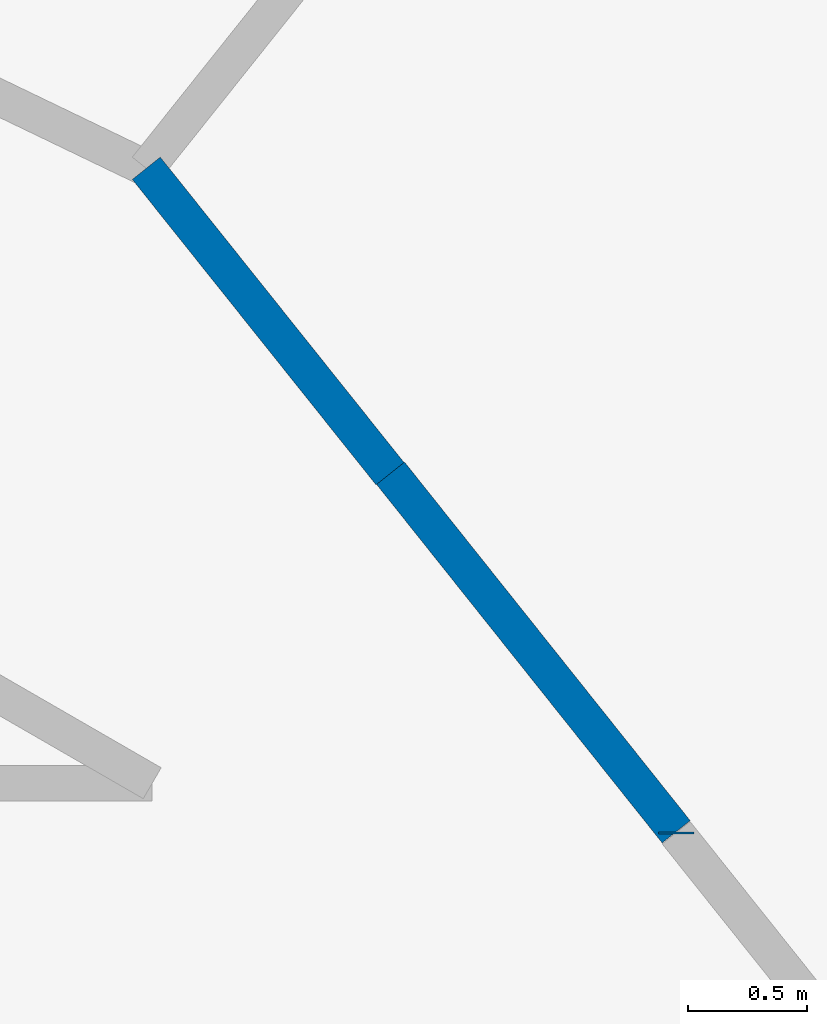
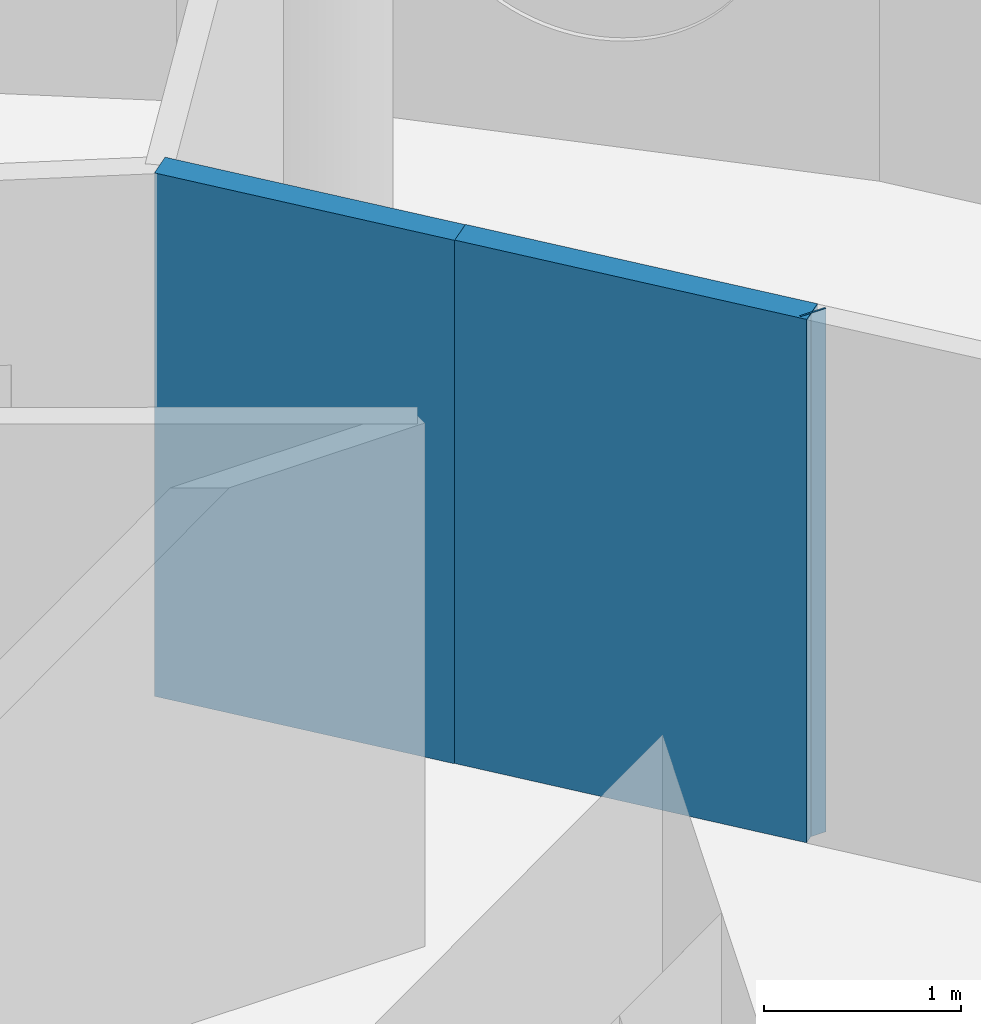
# One storey, part 8 of 12: 3 walls.
"""IFC4 building model written with IfcOpenShell, lengths in metres."""

from ifc_helpers import new_model, si_unit, direction, frame, frame_2d, origin, place, context, subcontext, project, spatial, rectangle, extrude, material, layer, layer_set, type_object, element, save


model = new_model("IFC4")

# Units and contexts
model_context = context("Model", 3, precision=1e-05, world=origin(), true_north=direction((0.0, 1.0)))
body_context = subcontext(model_context, "Body", "Model", "MODEL_VIEW")
ifc_project = project(units=[si_unit("LENGTHUNIT", "METRE"), si_unit("AREAUNIT", "SQUARE_METRE"), si_unit("VOLUMEUNIT", "CUBIC_METRE"), si_unit("PLANEANGLEUNIT", "RADIAN"), si_unit("MASSUNIT", "GRAM", prefix="KILO")], contexts=[model_context])

# Site, building, storey
site_placement = place(None, origin())
site = spatial("IfcSite", under=ifc_project, at=site_placement, CompositionType="ELEMENT")
building_placement = place(site_placement, origin())
building = spatial("IfcBuilding", under=site, at=building_placement, Name="Tracery Tower", CompositionType="ELEMENT")
storey_placement = place(building_placement, frame((0.0, 0.0, 241.800048828125)))
storey = spatial("IfcBuildingStorey", under=building, at=storey_placement, Name="L62", CompositionType="ELEMENT", Elevation=241.800048828125)

# Walls
ifc_material = material(Name="Plasterboard on steel studs", Category="steel")
ifc_layer = layer(ifc_material, 0.14990234375)
ifc_layer_set = layer_set([ifc_layer], Name="Partition 150 corridor wall")
wall_type = type_object("IfcWallType", Name="Partition 150 corridor wall", PredefinedType="PARTITIONING", material=ifc_layer_set)
wall_1_placement = place(storey_placement, frame((10.10107421875, 10.10107421875, 0.0), z_axis=(0.0, 0.0, 1.0), x_axis=(0.623130947784, -0.782117524362, 0.0)))
element("IfcWall", 1, at=wall_1_placement, inside=storey, type_object=wall_type, Name="Corridor wall RC2-005", PredefinedType="PARTITIONING", context=body_context, shape_type="SweptSolid", body=[
    extrude(rectangle(XDim=1.924072265625, YDim=0.14990234375, at=frame_2d((0.9619140625, 0.0))), origin(), (0.0, 0.0, 1.0), 3.25),
])
wall_2_placement = place(storey_placement, frame((11.300048828125, 8.5859375, 0.0), z_axis=(0.0, 0.0, 1.0), x_axis=(0.0, 1.0, 0.0)))
element("IfcWall", 2, at=wall_2_placement, inside=storey, type_object=wall_type, Name="Corridor wall RC2-007", PredefinedType="PARTITIONING", context=body_context, shape_type="SweptSolid", body=[
    extrude(rectangle(XDim=0.01025390625, YDim=0.14990234375, at=frame_2d((0.005126953125, 0.0))), origin(), (0.0, 0.0, 1.0), 3.25),
])
wall_3_placement = place(storey_placement, frame((9.075927734375, 11.381103515625, 0.0), z_axis=(0.0, 0.0, 1.0), x_axis=(0.623805208652, -0.781579849829, 0.0)))
element("IfcWall", 3, at=wall_3_placement, inside=storey, type_object=wall_type, Name="Corridor wall RC2-029", PredefinedType="PARTITIONING", context=body_context, shape_type="SweptSolid", body=[
    extrude(rectangle(XDim=1.64013671875, YDim=0.14990234375, at=frame_2d((0.820068359375, 0.0))), origin(), (0.0, 0.0, 1.0), 3.25),
])

save(model, "model.ifc")
